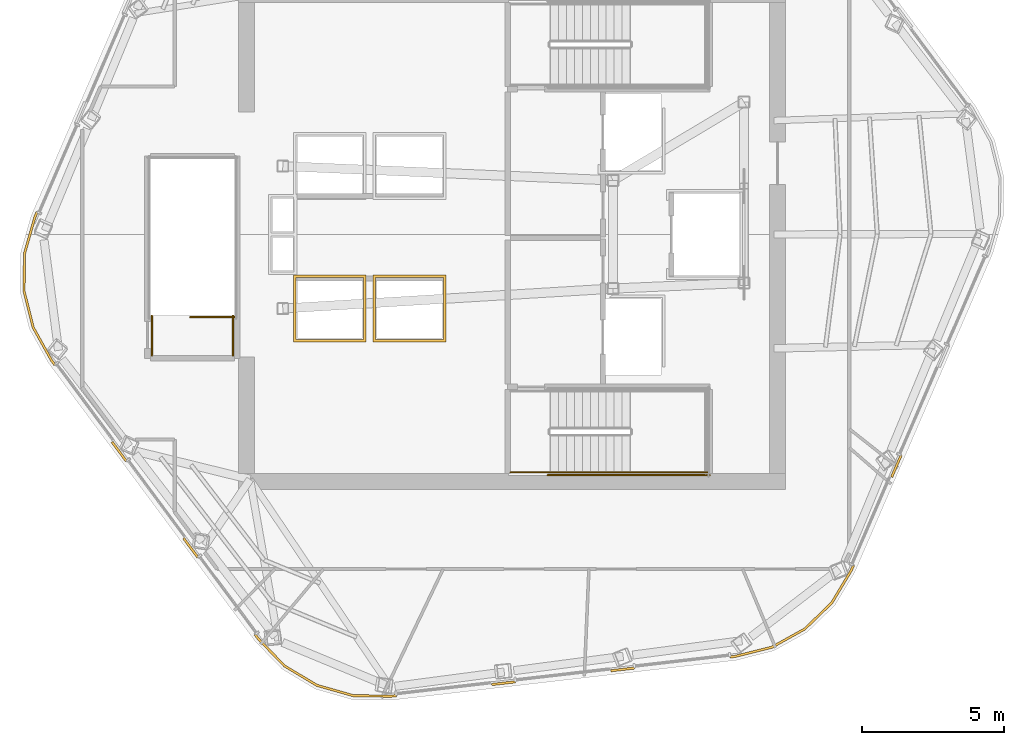
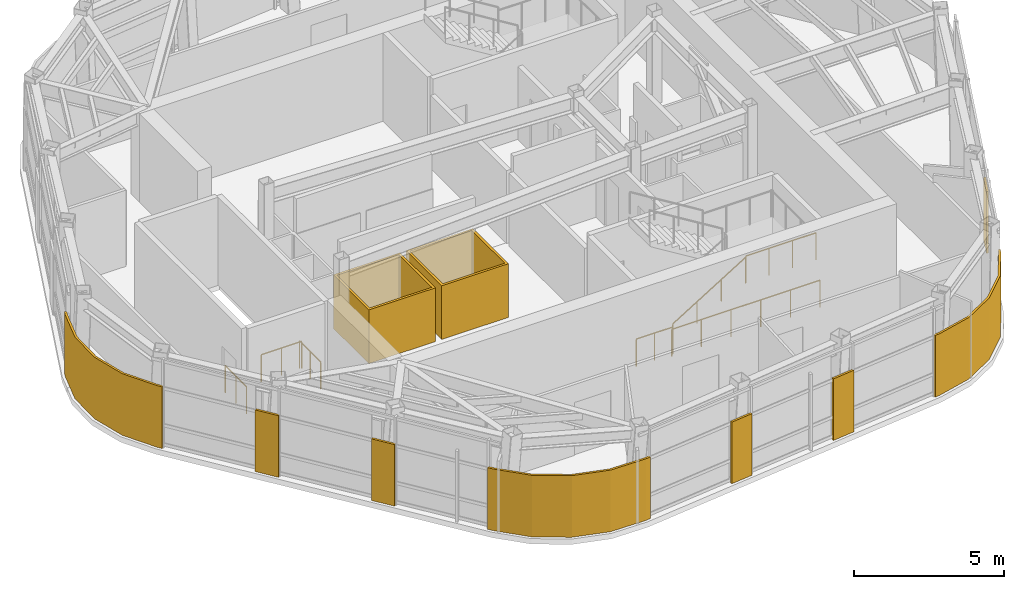
# One storey, part 8 of 11: 10 coverings, 7 railings.
"""IFC4 building model written with IfcOpenShell, lengths in metres."""

from ifc_helpers import new_model, si_unit, direction, frame, origin, origin_2d, place, context, subcontext, project, spatial, polyline, circle, outline, extrude, material, layer, layer_set, type_object, element, save


model = new_model("IFC4")

# Units and contexts
model_context = context("Model", 3, precision=1e-05, world=origin(), true_north=direction((0.0, 1.0)))
body_context = subcontext(model_context, "Body", "Model", "MODEL_VIEW")
ifc_project = project(units=[si_unit("LENGTHUNIT", "METRE"), si_unit("AREAUNIT", "SQUARE_METRE"), si_unit("VOLUMEUNIT", "CUBIC_METRE"), si_unit("PLANEANGLEUNIT", "RADIAN"), si_unit("MASSUNIT", "GRAM", prefix="KILO")], contexts=[model_context])

# Site, building, storey
site_placement = place(None, origin())
site = spatial("IfcSite", under=ifc_project, at=site_placement, CompositionType="ELEMENT")
building_placement = place(site_placement, origin())
building = spatial("IfcBuilding", under=site, at=building_placement, Name="Valkerne Bourse Tower", CompositionType="ELEMENT")
storey_placement = place(building_placement, frame((0.0, 0.0, 311.60009765625)))
storey = spatial("IfcBuildingStorey", under=building, at=storey_placement, Name="L79", CompositionType="ELEMENT", Elevation=311.60009765625)

# Coverings
ifc_material_1 = material(Name="Bronze Anodised Aluminium AA 6063-T6", Category="aluminium")
ifc_layer_1 = layer(ifc_material_1, 0.06005859375)
ifc_layer_set_1 = layer_set([ifc_layer_1], Name="Bronze Anodised Aluminium AA 6063-T6")
covering_type_1 = type_object("IfcCoveringType", Name="COV-CRN-ALUM", PredefinedType="CLADDING", material=ifc_layer_set_1)
covering_1_placement = place(storey_placement, origin())
element("IfcCovering", 1, at=covering_1_placement, inside=storey, type_object=covering_type_1, Name="L79 Wind-Shaped Corner Aluminium Cladding 03", PredefinedType="CLADDING", context=body_context, shape_type="SweptSolid", body=[
    extrude(outline(polyline([(60.17041015625, 18.4619140625), (60.096923828125, 18.493408203125), (60.430419921875, 19.264404296875), (60.50390625, 19.232666015625), (60.17041015625, 18.4619140625)])), origin(), (0.0, 0.0, 1.0), 2.5),
])
covering_2_placement = place(storey_placement, origin())
element("IfcCovering", 2, at=covering_2_placement, inside=storey, type_object=covering_type_1, Name="L79 Wind-Shaped Corner Aluminium Cladding 04", PredefinedType="CLADDING", context=body_context, shape_type="SweptSolid", body=[
    extrude(outline(polyline([(58.75439453125, 15.189697265625), (58.0673828125, 14.041748046875), (57.111572265625, 13.115478515625), (55.948486328125, 12.46826171875), (54.65087890625, 12.142333984375), (54.458984375, 12.1201171875), (54.44970703125, 12.199462890625), (54.63671875, 12.22119140625), (55.918701171875, 12.543212890625), (57.0634765625, 13.180419921875), (58.004150390625, 14.092041015625), (58.68310546875, 15.226318359375), (58.7578125, 15.398681640625), (58.831298828125, 15.3671875), (58.75439453125, 15.189697265625)])), origin(), (0.0, 0.0, 1.0), 2.5),
])
covering_3_placement = place(storey_placement, origin())
element("IfcCovering", 3, at=covering_3_placement, inside=storey, type_object=covering_type_1, Name="L79 Wind-Shaped Corner Aluminium Cladding 05", PredefinedType="CLADDING", context=body_context, shape_type="SweptSolid", body=[
    extrude(outline(polyline([(50.27490234375, 11.635986328125), (50.265625, 11.71533203125), (51.10009765625, 11.81201171875), (51.109375, 11.732421875), (50.27490234375, 11.635986328125)])), origin(), (0.0, 0.0, 1.0), 2.5),
])
covering_4_placement = place(storey_placement, origin())
element("IfcCovering", 4, at=covering_4_placement, inside=storey, type_object=covering_type_1, Name="L79 Wind-Shaped Corner Aluminium Cladding 06", PredefinedType="CLADDING", context=body_context, shape_type="SweptSolid", body=[
    extrude(outline(polyline([(46.0908203125, 11.15185546875), (46.081787109375, 11.231201171875), (46.916015625, 11.327880859375), (46.92529296875, 11.248291015625), (46.0908203125, 11.15185546875)])), origin(), (0.0, 0.0, 1.0), 2.5),
])
covering_5_placement = place(storey_placement, origin())
element("IfcCovering", 5, at=covering_5_placement, inside=storey, type_object=covering_type_1, Name="L79 Wind-Shaped Corner Aluminium Cladding 07", PredefinedType="CLADDING", context=body_context, shape_type="SweptSolid", body=[
    extrude(outline(polyline([(42.54931640625, 10.741943359375), (41.211669921875, 10.76318359375), (39.931396484375, 11.127685546875), (38.789306640625, 11.811279296875), (37.8583984375, 12.77197265625), (37.742919921875, 12.927001953125), (37.807373046875, 12.974853515625), (37.91943359375, 12.823974609375), (38.83935546875, 11.87451171875), (39.96337890625, 11.20166015625), (41.223388671875, 10.843017578125), (42.545166015625, 10.822021484375), (42.73193359375, 10.84375), (42.7412109375, 10.76416015625), (42.54931640625, 10.741943359375)])), origin(), (0.0, 0.0, 1.0), 2.5),
])
covering_6_placement = place(storey_placement, origin())
element("IfcCovering", 6, at=covering_6_placement, inside=storey, type_object=covering_type_1, Name="L79 Wind-Shaped Corner Aluminium Cladding 08", PredefinedType="CLADDING", context=body_context, shape_type="SweptSolid", body=[
    extrude(outline(polyline([(35.231689453125, 16.30859375), (35.2958984375, 16.356201171875), (35.796875, 15.681884765625), (35.732666015625, 15.63427734375), (35.231689453125, 16.30859375)])), origin(), (0.0, 0.0, 1.0), 2.5),
])
covering_7_placement = place(storey_placement, origin())
element("IfcCovering", 7, at=covering_7_placement, inside=storey, type_object=covering_type_1, Name="L79 Wind-Shaped Corner Aluminium Cladding 09", PredefinedType="CLADDING", context=body_context, shape_type="SweptSolid", body=[
    extrude(outline(polyline([(32.720458984375, 19.690185546875), (32.78466796875, 19.73779296875), (33.285400390625, 19.0634765625), (33.22119140625, 19.015625), (32.720458984375, 19.690185546875)])), origin(), (0.0, 0.0, 1.0), 2.5),
])
covering_8_placement = place(storey_placement, origin())
element("IfcCovering", 8, at=covering_8_placement, inside=storey, type_object=covering_type_1, Name="L79 Wind-Shaped Corner Aluminium Cladding 10", PredefinedType="CLADDING", context=body_context, shape_type="SweptSolid", body=[
    extrude(outline(polyline([(30.5947265625, 22.55224609375), (29.944091796875, 23.72119140625), (29.619873046875, 25.01220703125), (29.640869140625, 26.34326171875), (30.00732421875, 27.629638671875), (30.083984375, 27.80712890625), (30.157470703125, 27.775390625), (30.082763671875, 27.602783203125), (29.720703125, 26.331298828125), (29.699951171875, 25.021484375), (30.019287109375, 23.750732421875), (30.662109375, 22.595703125), (30.774169921875, 22.44482421875), (30.7099609375, 22.397216796875), (30.5947265625, 22.55224609375)])), origin(), (0.0, 0.0, 1.0), 2.5),
])
ifc_material_2 = material(Name="Gypsum Shaftwall Liner Board", Category="gypsum")
ifc_layer_2 = layer(ifc_material_2, 0.080078125)
ifc_layer_set_2 = layer_set([ifc_layer_2], Name="Gypsum Shaftwall Liner Board")
covering_type_2 = type_object("IfcCoveringType", Name="COV-SHF-CLAD", PredefinedType="CLADDING", material=ifc_layer_set_2)
covering_9_placement = place(storey_placement, origin())
element("IfcCovering", 9, at=covering_9_placement, inside=storey, type_object=covering_type_2, Name="L79 Hoistway & Riser Shaftwall Liner 03", PredefinedType="CLADDING", context=body_context, shape_type="SweptSolid", body=[
    extrude(outline(polyline([(41.679931640625, 25.580078125), (41.679931640625, 23.219970703125), (39.1201171875, 23.219970703125), (39.1201171875, 25.580078125), (41.679931640625, 25.580078125)]), holes=[polyline([(41.590087890625, 25.489990234375), (39.2099609375, 25.489990234375), (39.2099609375, 23.31005859375), (41.590087890625, 23.31005859375), (41.590087890625, 25.489990234375)])]), origin(), (0.0, 0.0, 1.0), 2.179931640625),
])
covering_10_placement = place(storey_placement, origin())
element("IfcCovering", 10, at=covering_10_placement, inside=storey, type_object=covering_type_2, Name="L79 Hoistway & Riser Shaftwall Liner 04", PredefinedType="CLADDING", context=body_context, shape_type="SweptSolid", body=[
    extrude(outline(polyline([(44.47998046875, 25.580078125), (44.47998046875, 23.219970703125), (41.919921875, 23.219970703125), (41.919921875, 25.580078125), (44.47998046875, 25.580078125)]), holes=[polyline([(44.389892578125, 25.489990234375), (42.010009765625, 25.489990234375), (42.010009765625, 23.31005859375), (44.389892578125, 23.31005859375), (44.389892578125, 25.489990234375)])]), origin(), (0.0, 0.0, 1.0), 2.179931640625),
])

# Railings
ifc_material_3 = material(Name="Galvanised Painted Steel", Category="steel")
railing_type_1 = type_object("IfcRailingType", Name="RLG-ST-GUARD-1120", PredefinedType="GUARDRAIL", material=ifc_material_3)
railing_1_placement = place(storey_placement, frame((50.949951171875, 18.64990234375, 1.89990234375)))
element("IfcRailing", 11, at=railing_1_placement, inside=storey, type_object=railing_type_1, Name="L79 ST-1 stair guard 3", PredefinedType="GUARDRAIL", context=body_context, shape_type="SweptSolid", body=[
    extrude(circle(Radius=0.02392578125, at=origin_2d()), frame((0.0, 0.0, 1.09619140625), z_axis=(1.0, 0.0, 0.0), x_axis=(0.0, 1.0, 0.0)), (0.0, 0.0, 1.0), 2.699951171875),
    extrude(circle(Radius=0.02099609375, at=origin_2d()), origin(), (0.0, 0.0, 1.0), 1.072021484375),
    extrude(circle(Radius=0.02099609375, at=origin_2d()), frame((0.89990234375, 0.0, 0.0)), (0.0, 0.0, 1.0), 1.072021484375),
    extrude(circle(Radius=0.02099609375, at=origin_2d()), frame((1.800048828125, 0.0, 0.0)), (0.0, 0.0, 1.0), 1.072021484375),
    extrude(circle(Radius=0.02099609375, at=origin_2d()), frame((2.699951171875, 0.0, 0.0)), (0.0, 0.0, 1.0), 1.072021484375),
])
railing_2_placement = place(storey_placement, frame((46.75, 18.64990234375, 0.0)))
element("IfcRailing", 12, at=railing_2_placement, inside=storey, type_object=railing_type_1, Name="L79 ST-1 stair guard 8", PredefinedType="GUARDRAIL", context=body_context, shape_type="SweptSolid", body=[
    extrude(circle(Radius=0.02392578125, at=origin_2d()), frame((0.0, 0.0, 1.09619140625), z_axis=(1.0, 0.0, 0.0), x_axis=(0.0, 1.0, 0.0)), (0.0, 0.0, 1.0), 1.39990234375),
    extrude(circle(Radius=0.02099609375, at=origin_2d()), origin(), (0.0, 0.0, 1.0), 1.072021484375),
    extrude(circle(Radius=0.02099609375, at=origin_2d()), frame((0.699951171875, 0.0, 0.0)), (0.0, 0.0, 1.0), 1.072021484375),
    extrude(circle(Radius=0.02099609375, at=origin_2d()), frame((1.39990234375, 0.0, 0.0)), (0.0, 0.0, 1.0), 1.072021484375),
])
railing_3_placement = place(storey_placement, frame((48.050048828125, 18.550048828125, 0.0)))
element("IfcRailing", 13, at=railing_3_placement, inside=storey, type_object=railing_type_1, Name="L79 ST-1 stair guard 10", PredefinedType="GUARDRAIL", context=body_context, shape_type="SweptSolid", body=[
    extrude(circle(Radius=0.02392578125, at=origin_2d()), frame((0.0, 0.0, 1.09619140625), z_axis=(1.0, 0.0, 0.0), x_axis=(0.0, 1.0, 0.0)), (0.0, 0.0, 1.0), 5.699951171875),
    extrude(circle(Radius=0.02099609375, at=origin_2d()), origin(), (0.0, 0.0, 1.0), 1.072021484375),
    extrude(circle(Radius=0.02099609375, at=origin_2d()), frame((1.139892578125, 0.0, 0.0)), (0.0, 0.0, 1.0), 1.072021484375),
    extrude(circle(Radius=0.02099609375, at=origin_2d()), frame((2.280029296875, 0.0, 0.0)), (0.0, 0.0, 1.0), 1.072021484375),
    extrude(circle(Radius=0.02099609375, at=origin_2d()), frame((3.419921875, 0.0, 0.0)), (0.0, 0.0, 1.0), 1.072021484375),
    extrude(circle(Radius=0.02099609375, at=origin_2d()), frame((4.56005859375, 0.0, 0.0)), (0.0, 0.0, 1.0), 1.072021484375),
    extrude(circle(Radius=0.02099609375, at=origin_2d()), frame((5.699951171875, 0.0, 0.0)), (0.0, 0.0, 1.0), 1.072021484375),
])
railing_4_placement = place(storey_placement, frame((37.050048828125, 24.10009765625, 0.0)))
element("IfcRailing", 14, at=railing_4_placement, inside=storey, type_object=railing_type_1, Name="L79 ST-3 top well guard 1", PredefinedType="GUARDRAIL", context=body_context, shape_type="SweptSolid", body=[
    extrude(circle(Radius=0.02392578125, at=origin_2d()), frame((0.0, 0.0, 1.09619140625), z_axis=(-1.0, 0.0, 0.0), x_axis=(0.0, -1.0, 0.0)), (0.0, 0.0, 1.0), 1.550048828125),
    extrude(circle(Radius=0.02099609375, at=origin_2d()), origin(), (0.0, 0.0, 1.0), 1.072021484375),
    extrude(circle(Radius=0.02099609375, at=origin_2d()), frame((-0.77490234375, 0.0, 0.0)), (0.0, 0.0, 1.0), 1.072021484375),
    extrude(circle(Radius=0.02099609375, at=origin_2d()), frame((-1.550048828125, 0.0, 0.0)), (0.0, 0.0, 1.0), 1.072021484375),
])
for number, where, name in (
    (15, (37.0, 22.75, 0.0), "L79 ST-3 top well guard 5"),
    (16, (34.14990234375, 22.75, 0.0), "L79 ST-3 top well guard 6"),
):
    element("IfcRailing", number, at=place(storey_placement, frame(where)), inside=storey, type_object=railing_type_1, Name=name, PredefinedType="GUARDRAIL", context=body_context, shape_type="SweptSolid", body=[
        extrude(circle(Radius=0.02392578125, at=origin_2d()), frame((0.0, 0.0, 1.09619140625), z_axis=(0.0, 1.0, 0.0), x_axis=(-1.0, 0.0, 0.0)), (0.0, 0.0, 1.0), 1.39990234375),
        extrude(circle(Radius=0.02099609375, at=origin_2d()), origin(), (0.0, 0.0, 1.0), 1.072021484375),
        extrude(circle(Radius=0.02099609375, at=origin_2d()), frame((0.0, 0.699951171875, 0.0)), (0.0, 0.0, 1.0), 1.072021484375),
        extrude(circle(Radius=0.02099609375, at=origin_2d()), frame((0.0, 1.39990234375, 0.0)), (0.0, 0.0, 1.0), 1.072021484375),
    ])
ifc_material_4 = material(Name="Stainless Steel AISI 316", Category="steel")
railing_type_2 = type_object("IfcRailingType", Name="RLG-ST-HANDRAIL-900", PredefinedType="HANDRAIL", material=ifc_material_4)
railing_5_placement = place(storey_placement, frame((48.14990234375, 18.64990234375, 0.345458984375)))
element("IfcRailing", 17, at=railing_5_placement, inside=storey, type_object=railing_type_2, Name="L79 ST-1 stair handrail 1", PredefinedType="HANDRAIL", context=body_context, shape_type="SweptSolid", body=[
    extrude(circle(Radius=0.02392578125, at=origin_2d()), frame((0.0, 0.0, 0.8759765625), z_axis=(0.851122791225, 0.0, 0.524966660138), x_axis=(0.0, 1.0, 0.0)), (0.0, 0.0, 1.0), 3.289794921875),
    extrude(circle(Radius=0.02099609375, at=origin_2d()), origin(), (0.0, 0.0, 1.0), 0.851806640625),
    extrude(circle(Radius=0.02099609375, at=origin_2d()), frame((0.933349609375, 0.0, 0.57568359375)), (0.0, 0.0, 1.0), 0.851806640625),
    extrude(circle(Radius=0.02099609375, at=origin_2d()), frame((1.86669921875, 0.0, 1.1513671875)), (0.0, 0.0, 1.0), 0.851806640625),
    extrude(circle(Radius=0.02099609375, at=origin_2d()), frame((2.800048828125, 0.0, 1.72705078125)), (0.0, 0.0, 1.0), 0.851806640625),
])

save(model, "model.ifc")
